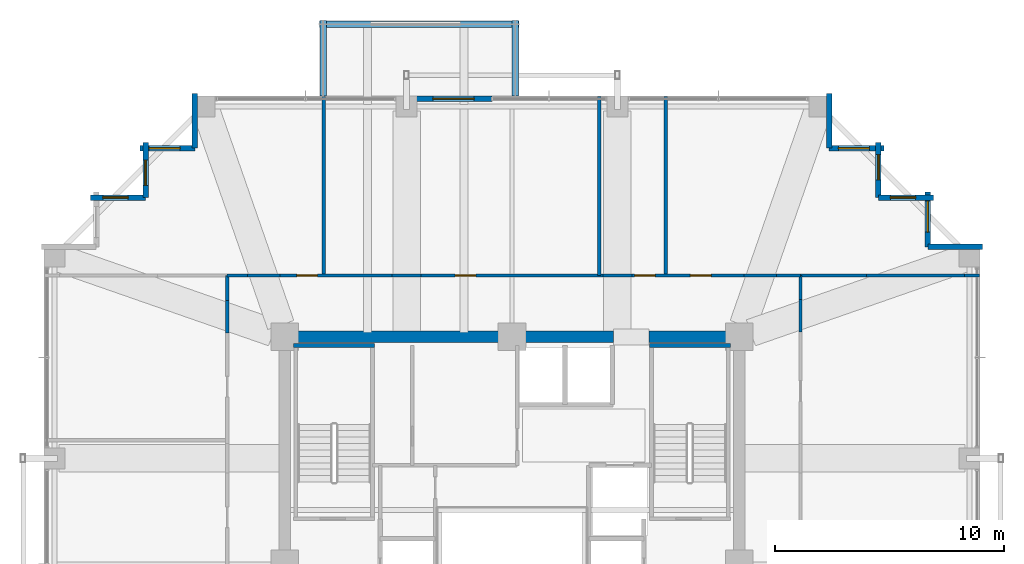
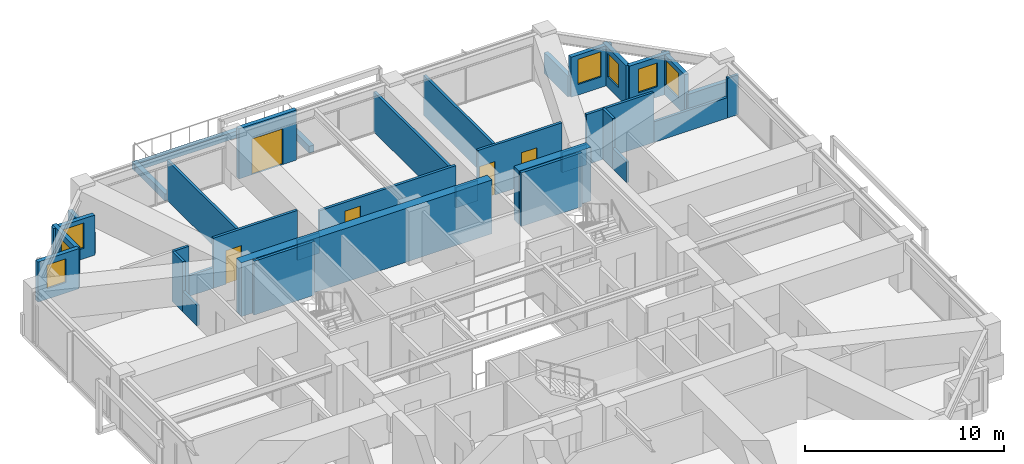
# One storey, part 34 of 37: 37 walls, 7 windows, 5 doors, 12 openings.
"""IFC4 building model written with IfcOpenShell, lengths in metres."""

from ifc_helpers import new_model, si_unit, direction, frame, frame_2d, origin, place, context, subcontext, project, spatial, rectangle, extrude, material, layer, layer_set, type_object, element, fill, save


model = new_model("IFC4")

# Units and contexts
model_context = context("Model", 3, precision=1e-05, world=origin(), true_north=direction((0.0, 1.0)))
body_context = subcontext(model_context, "Body", "Model", "MODEL_VIEW")
ifc_project = project(units=[si_unit("LENGTHUNIT", "METRE"), si_unit("AREAUNIT", "SQUARE_METRE"), si_unit("VOLUMEUNIT", "CUBIC_METRE"), si_unit("PLANEANGLEUNIT", "RADIAN"), si_unit("MASSUNIT", "GRAM", prefix="KILO")], contexts=[model_context])

# Site, building, storey
site_placement = place(None, origin())
site = spatial("IfcSite", under=ifc_project, at=site_placement, CompositionType="ELEMENT")
building_placement = place(site_placement, origin())
building = spatial("IfcBuilding", under=site, at=building_placement, Name="Kolvaren Belvedere", CompositionType="ELEMENT")
storey_placement = place(building_placement, frame((0.0, 0.0, 186.60009765625)))
storey = spatial("IfcBuildingStorey", under=building, at=storey_placement, Name="L54", CompositionType="ELEMENT", Elevation=186.60009765625)

# Walls
ifc_material_1 = material(Name="Concrete C50/60", Category="concrete")
ifc_layer_1 = layer(ifc_material_1, 0.5)
ifc_layer_set_1 = layer_set([ifc_layer_1], Name="Concrete C50/60")
wall_type_1 = type_object("IfcWallType", Name="CW-CORE-500", PredefinedType="SHEAR", material=ifc_layer_set_1)
wall_1_placement = place(storey_placement, frame((-10.14990234375, 9.89990234375, 0.0), z_axis=(0.0, 0.0, 1.0), x_axis=(1.0, 0.0, 0.0)))
element("IfcWall", 1, at=wall_1_placement, inside=storey, type_object=wall_type_1, Name="L54 North Core Shear Wall 1", PredefinedType="SHEAR", context=body_context, shape_type="SweptSolid", body=[
    extrude(rectangle(XDim=14.56982421875, YDim=0.5, at=frame_2d((7.284912109375, 0.0))), origin(), (0.0, 0.0, 1.0), 3.2998046875),
])
wall_2_placement = place(storey_placement, frame((5.97998046875, 9.89990234375, 0.0), z_axis=(0.0, 0.0, 1.0), x_axis=(1.0, 0.0, 0.0)))
element("IfcWall", 2, at=wall_2_placement, inside=storey, type_object=wall_type_1, Name="L54 North Core Shear Wall 2", PredefinedType="SHEAR", context=body_context, shape_type="SweptSolid", body=[
    extrude(rectangle(XDim=4.169921875, YDim=0.5, at=frame_2d((2.0849609375, 0.0))), origin(), (0.0, 0.0, 1.0), 3.2998046875),
])
ifc_material_2 = material(Name="Concrete C50/60", Category="concrete")
ifc_layer_2 = layer(ifc_material_2, 0.159912109375)
ifc_layer_set_2 = layer_set([ifc_layer_2], Name="Concrete C50/60")
wall_type_2 = type_object("IfcWallType", Name="CW-STAIR-160", PredefinedType="SHEAR", material=ifc_layer_set_2)
for number, where, z_axis, x_axis, name in (
    (3, (-9.52001953125, 9.530029296875, 0.0), (0.0, 0.0, 1.0), (1.0, 0.0, 0.0), "L54 Stair ST-1 North Shear Wall"),
    (4, (6.0, 9.530029296875, 0.0), (0.0, 0.0, 1.0), (1.0, 0.0, 0.0), "L54 Stair ST-2 North Shear Wall"),
):
    element("IfcWall", number, at=place(storey_placement, frame(where, z_axis=z_axis, x_axis=x_axis)), inside=storey, type_object=wall_type_2, Name=name, PredefinedType="SHEAR", context=body_context, shape_type="SweptSolid", body=[
        extrude(rectangle(XDim=3.52001953125, YDim=0.159912109375, at=frame_2d((1.760009765625, 0.0))), origin(), (0.0, 0.0, 1.0), 3.2998046875),
    ])
ifc_material_3 = material(Name="Gypsum fire-rated partition assembly", Category="gypsum")
ifc_layer_3 = layer(ifc_material_3, 0.14990234375)
ifc_layer_set_3 = layer_set([ifc_layer_3], Name="Gypsum fire-rated partition assembly")
wall_type_3 = type_object("IfcWallType", Name="WL-CORR-150", PredefinedType="PARTITIONING", material=ifc_layer_set_3)
wall_3_placement = place(storey_placement, frame((-12.419921875, 12.580078125, 0.0), z_axis=(0.0, 0.0, 1.0), x_axis=(1.0, 0.0, 0.0)))
element("IfcWall", 5, at=wall_3_placement, inside=storey, type_object=wall_type_3, Name="L54 North Corridor Wall", PredefinedType="PARTITIONING", context=body_context, shape_type="SweptSolid", body=[
    extrude(rectangle(XDim=0.878173828125, YDim=0.14990234375, at=frame_2d((0.43896484375, 0.0))), origin(), (0.0, 0.0, 1.0), 3.079833984375),
])
wall_4_placement = place(storey_placement, frame((-11.541748046875, 12.580078125, 0.0), z_axis=(0.0, 0.0, 1.0), x_axis=(1.0, 0.0, 0.0)))
element("IfcWall", 6, at=wall_4_placement, inside=storey, type_object=wall_type_3, Name="L54 North Corridor Wall", PredefinedType="PARTITIONING", context=body_context, shape_type="SweptSolid", body=[
    extrude(rectangle(XDim=1.416748046875, YDim=0.14990234375, at=frame_2d((0.70849609375, 0.0))), origin(), (0.0, 0.0, 1.0), 1.264892578125),
])

# Wall, opening, door
wall_5_placement = place(storey_placement, frame((-10.125, 12.580078125, 0.0), z_axis=(0.0, 0.0, 1.0), x_axis=(1.0, 0.0, 0.0)))
wall_5 = element("IfcWall", 7, at=wall_5_placement, inside=storey, type_object=wall_type_3, Name="L54 North Corridor Wall", PredefinedType="PARTITIONING", context=body_context, shape_type="SweptSolid", body=[
    extrude(rectangle(XDim=4.883056640625, YDim=0.14990234375, at=frame_2d((2.44140625, 0.0))), origin(), (0.0, 0.0, 1.0), 3.079833984375),
])
opening_1_placement = place(wall_5_placement, frame((0.743408203125, 0.0, 0.0)))
opening_1 = element("IfcOpeningElement", 8, at=opening_1_placement, cuts=wall_5, Name="Opening D-INT90", PredefinedType="OPENING", context=body_context, shape_type="SweptSolid", body=[
    extrude(rectangle(XDim=0.89990234375, YDim=2.06005859375, at=frame_2d((0.449951171875, 1.030029296875))), frame((0.0, 0.0849609375, 0.0), z_axis=(0.0, -1.0, 0.0), x_axis=(1.0, 0.0, 0.0)), (0.0, 0.0, 1.0), 0.169921875),
])
ifc_material_4 = material(Name="Stained Pacific white oak", Category="timber")
door_type_1 = type_object("IfcDoorType", Name="DR-INT-900", OperationType="NOTDEFINED", PredefinedType="DOOR", material=ifc_material_4)
door_1_placement = place(opening_1_placement, origin())
door_1 = element("IfcDoor", 9, at=door_1_placement, inside=storey, type_object=door_type_1, Name="L54 Lounge 5408 Door", OperationType="SINGLE_SWING_LEFT", OverallHeight=2.06005859375, OverallWidth=0.89990234375, PredefinedType="DOOR", context=body_context, shape_type="SweptSolid", body=[
    extrude(rectangle(XDim=0.89990234375, YDim=2.06005859375, at=frame_2d((0.449951171875, 1.030029296875))), frame((0.0, 0.02490234375, 0.0), z_axis=(0.0, -1.0, 0.0), x_axis=(1.0, 0.0, 0.0)), (0.0, 0.0, 1.0), 0.050048828125),
])
fill(opening_1, door_1)

# Wall
wall_6_placement = place(storey_placement, frame((-5.241943359375, 12.580078125, 0.0), z_axis=(0.0, 0.0, 1.0), x_axis=(1.0, 0.0, 0.0)))
element("IfcWall", 10, at=wall_6_placement, inside=storey, type_object=wall_type_3, Name="L54 North Corridor Wall", PredefinedType="PARTITIONING", context=body_context, shape_type="SweptSolid", body=[
    extrude(rectangle(XDim=1.283935546875, YDim=0.14990234375, at=frame_2d((0.64208984375, 0.0))), origin(), (0.0, 0.0, 1.0), 1.264892578125),
])

# Wall, opening, door
wall_7_placement = place(storey_placement, frame((-3.9580078125, 12.580078125, 0.0), z_axis=(0.0, 0.0, 1.0), x_axis=(1.0, 0.0, 0.0)))
wall_7 = element("IfcWall", 11, at=wall_7_placement, inside=storey, type_object=wall_type_3, Name="L54 North Corridor Wall", PredefinedType="PARTITIONING", context=body_context, shape_type="SweptSolid", body=[
    extrude(rectangle(XDim=7.916015625, YDim=0.14990234375, at=frame_2d((3.9580078125, 0.0))), origin(), (0.0, 0.0, 1.0), 2.60498046875),
])
opening_2_placement = place(wall_7_placement, frame((1.47802734375, 0.0, 0.0)))
opening_2 = element("IfcOpeningElement", 12, at=opening_2_placement, cuts=wall_7, Name="Opening D-INT90", PredefinedType="OPENING", context=body_context, shape_type="SweptSolid", body=[
    extrude(rectangle(XDim=0.89990234375, YDim=2.06005859375, at=frame_2d((0.449951171875, 1.030029296875))), frame((0.0, 0.0849609375, 0.0), z_axis=(0.0, -1.0, 0.0), x_axis=(1.0, 0.0, 0.0)), (0.0, 0.0, 1.0), 0.169921875),
])
door_2_placement = place(opening_2_placement, origin())
door_2 = element("IfcDoor", 13, at=door_2_placement, inside=storey, type_object=door_type_1, Name="L54 Lounge 5409 Door", OperationType="SINGLE_SWING_RIGHT", OverallHeight=2.06005859375, OverallWidth=0.89990234375, PredefinedType="DOOR", context=body_context, shape_type="SweptSolid", body=[
    extrude(rectangle(XDim=0.89990234375, YDim=2.06005859375, at=frame_2d((0.449951171875, 1.030029296875))), frame((0.0, 0.02490234375, 0.0), z_axis=(0.0, -1.0, 0.0), x_axis=(1.0, 0.0, 0.0)), (0.0, 0.0, 1.0), 0.050048828125),
])
fill(opening_2, door_2)

# Wall
wall_8_placement = place(storey_placement, frame((3.9580078125, 12.580078125, 0.0), z_axis=(0.0, 0.0, 1.0), x_axis=(1.0, 0.0, 0.0)))
element("IfcWall", 14, at=wall_8_placement, inside=storey, type_object=wall_type_3, Name="L54 North Corridor Wall", PredefinedType="PARTITIONING", context=body_context, shape_type="SweptSolid", body=[
    extrude(rectangle(XDim=1.283935546875, YDim=0.14990234375, at=frame_2d((0.64208984375, 0.0))), origin(), (0.0, 0.0, 1.0), 1.264892578125),
])

# Wall, openings, doors
wall_9_placement = place(storey_placement, frame((5.241943359375, 12.580078125, 0.0), z_axis=(0.0, 0.0, 1.0), x_axis=(1.0, 0.0, 0.0)))
wall_9 = element("IfcWall", 15, at=wall_9_placement, inside=storey, type_object=wall_type_3, Name="L54 North Corridor Wall", PredefinedType="PARTITIONING", context=body_context, shape_type="SweptSolid", body=[
    extrude(rectangle(XDim=4.883056640625, YDim=0.14990234375, at=frame_2d((2.44140625, 0.0))), origin(), (0.0, 0.0, 1.0), 3.079833984375),
])
opening_3_placement = place(wall_9_placement, frame((0.10009765625, 0.0, 0.0)))
opening_3 = element("IfcOpeningElement", 16, at=opening_3_placement, cuts=wall_9, Name="Opening D-INT90", PredefinedType="OPENING", context=body_context, shape_type="SweptSolid", body=[
    extrude(rectangle(XDim=0.89990234375, YDim=2.06005859375, at=frame_2d((0.449951171875, 1.030029296875))), frame((0.0, 0.0849609375, 0.0), z_axis=(0.0, -1.0, 0.0), x_axis=(1.0, 0.0, 0.0)), (0.0, 0.0, 1.0), 0.169921875),
])
opening_4_placement = place(wall_9_placement, frame((2.5380859375, 0.0, 0.0)))
opening_4 = element("IfcOpeningElement", 17, at=opening_4_placement, cuts=wall_9, Name="Opening D-INT90", PredefinedType="OPENING", context=body_context, shape_type="SweptSolid", body=[
    extrude(rectangle(XDim=0.89990234375, YDim=2.06005859375, at=frame_2d((0.449951171875, 1.030029296875))), frame((0.0, 0.0849609375, 0.0), z_axis=(0.0, -1.0, 0.0), x_axis=(1.0, 0.0, 0.0)), (0.0, 0.0, 1.0), 0.169921875),
])
door_3_placement = place(opening_3_placement, origin())
door_3 = element("IfcDoor", 18, at=door_3_placement, inside=storey, type_object=door_type_1, Name="L54 Lounge 5410 Door", OperationType="SINGLE_SWING_LEFT", OverallHeight=2.06005859375, OverallWidth=0.89990234375, PredefinedType="DOOR", context=body_context, shape_type="SweptSolid", body=[
    extrude(rectangle(XDim=0.89990234375, YDim=2.06005859375, at=frame_2d((0.449951171875, 1.030029296875))), frame((0.0, 0.02490234375, 0.0), z_axis=(0.0, -1.0, 0.0), x_axis=(1.0, 0.0, 0.0)), (0.0, 0.0, 1.0), 0.050048828125),
])
fill(opening_3, door_3)
door_4_placement = place(opening_4_placement, origin())
door_4 = element("IfcDoor", 19, at=door_4_placement, inside=storey, type_object=door_type_1, Name="L54 Lounge 5411 Door", OperationType="SINGLE_SWING_RIGHT", OverallHeight=2.06005859375, OverallWidth=0.89990234375, PredefinedType="DOOR", context=body_context, shape_type="SweptSolid", body=[
    extrude(rectangle(XDim=0.89990234375, YDim=2.06005859375, at=frame_2d((0.449951171875, 1.030029296875))), frame((0.0, 0.02490234375, 0.0), z_axis=(0.0, -1.0, 0.0), x_axis=(1.0, 0.0, 0.0)), (0.0, 0.0, 1.0), 0.050048828125),
])
fill(opening_4, door_4)

# Walls
wall_10_placement = place(storey_placement, frame((10.125, 12.580078125, 0.0), z_axis=(0.0, 0.0, 1.0), x_axis=(1.0, 0.0, 0.0)))
element("IfcWall", 20, at=wall_10_placement, inside=storey, type_object=wall_type_3, Name="L54 North Corridor Wall", PredefinedType="PARTITIONING", context=body_context, shape_type="SweptSolid", body=[
    extrude(rectangle(XDim=1.416748046875, YDim=0.14990234375, at=frame_2d((0.70849609375, 0.0))), origin(), (0.0, 0.0, 1.0), 1.264892578125),
])
wall_11_placement = place(storey_placement, frame((11.541748046875, 12.580078125, 0.0), z_axis=(0.0, 0.0, 1.0), x_axis=(1.0, 0.0, 0.0)))
element("IfcWall", 21, at=wall_11_placement, inside=storey, type_object=wall_type_3, Name="L54 North Corridor Wall", PredefinedType="PARTITIONING", context=body_context, shape_type="SweptSolid", body=[
    extrude(rectangle(XDim=1.038330078125, YDim=0.14990234375, at=frame_2d((0.51904296875, 0.0))), origin(), (0.0, 0.0, 1.0), 3.079833984375),
])
wall_12_placement = place(storey_placement, frame((-12.419921875, 10.0693359375, 0.0), z_axis=(0.0, 0.0, 1.0), x_axis=(0.0, 1.0, 0.0)))
element("IfcWall", 22, at=wall_12_placement, inside=storey, type_object=wall_type_3, Name="L54 West Corridor Wall", PredefinedType="PARTITIONING", context=body_context, shape_type="SweptSolid", body=[
    extrude(rectangle(XDim=1.416748046875, YDim=0.14990234375, at=frame_2d((0.70849609375, 0.0))), origin(), (0.0, 0.0, 1.0), 1.264892578125),
])
wall_13_placement = place(storey_placement, frame((-12.419921875, 11.486083984375, 0.0), z_axis=(0.0, 0.0, 1.0), x_axis=(0.0, 1.0, 0.0)))
element("IfcWall", 23, at=wall_13_placement, inside=storey, type_object=wall_type_3, Name="L54 West Corridor Wall", PredefinedType="PARTITIONING", context=body_context, shape_type="SweptSolid", body=[
    extrude(rectangle(XDim=1.093994140625, YDim=0.14990234375, at=frame_2d((0.546875, 0.0))), origin(), (0.0, 0.0, 1.0), 3.079833984375),
])
wall_14_placement = place(storey_placement, frame((12.580078125, 10.125, 0.0), z_axis=(0.0, 0.0, 1.0), x_axis=(0.0, 1.0, 0.0)))
element("IfcWall", 24, at=wall_14_placement, inside=storey, type_object=wall_type_3, Name="L54 East Corridor Wall", PredefinedType="PARTITIONING", context=body_context, shape_type="SweptSolid", body=[
    extrude(rectangle(XDim=1.416748046875, YDim=0.14990234375, at=frame_2d((0.70849609375, 0.0))), origin(), (0.0, 0.0, 1.0), 1.264892578125),
])
wall_15_placement = place(storey_placement, frame((12.580078125, 11.541748046875, 0.0), z_axis=(0.0, 0.0, 1.0), x_axis=(0.0, 1.0, 0.0)))
element("IfcWall", 25, at=wall_15_placement, inside=storey, type_object=wall_type_3, Name="L54 East Corridor Wall", PredefinedType="PARTITIONING", context=body_context, shape_type="SweptSolid", body=[
    extrude(rectangle(XDim=1.038330078125, YDim=0.14990234375, at=frame_2d((0.51904296875, 0.0))), origin(), (0.0, 0.0, 1.0), 3.079833984375),
])
ifc_material_5 = material(Name="Insulated pale-metal facade wall assembly", Category="aluminium")
ifc_layer_4 = layer(ifc_material_5, 0.239990234375)
ifc_layer_set_4 = layer_set([ifc_layer_4], Name="Insulated pale-metal facade wall assembly")
wall_type_4 = type_object("IfcWallType", Name="WL-EXT-240", PredefinedType="STANDARD", material=ifc_layer_set_4)
wall_16_placement = place(storey_placement, frame((18.1298828125, 13.830078125, 0.0), z_axis=(0.0, 0.0, 1.0), x_axis=(1.0, 0.0, 0.0)))
element("IfcWall", 26, at=wall_16_placement, inside=storey, type_object=wall_type_4, Name="L54 Serrated Corner Facade Wall 9", PredefinedType="STANDARD", context=body_context, shape_type="SweptSolid", body=[
    extrude(rectangle(XDim=2.39013671875, YDim=0.239990234375, at=frame_2d((1.195068359375, 0.0))), origin(), (0.0, 0.0, 1.0), 1.27490234375),
])

# Wall, opening, window
wall_17_placement = place(storey_placement, frame((18.1298828125, 16.219970703125, 0.0), z_axis=(0.0, 0.0, 1.0), x_axis=(0.0, -1.0, 0.0)))
wall_17 = element("IfcWall", 27, at=wall_17_placement, inside=storey, type_object=wall_type_4, Name="L54 Serrated Corner Facade Wall 10", PredefinedType="STANDARD", context=body_context, shape_type="SweptSolid", body=[
    extrude(rectangle(XDim=2.389892578125, YDim=0.239990234375, at=frame_2d((1.19482421875, 0.0))), origin(), (0.0, 0.0, 1.0), 2.462890625),
])
opening_5_placement = place(wall_17_placement, frame((0.39990234375, 0.0, 0.64990234375)))
opening_5 = element("IfcOpeningElement", 28, at=opening_5_placement, cuts=wall_17, Name="Opening W-1350", PredefinedType="OPENING", context=body_context, shape_type="SweptSolid", body=[
    extrude(rectangle(XDim=1.35009765625, YDim=1.550048828125, at=frame_2d((0.675048828125, 0.77490234375))), frame((0.0, 0.1298828125, 0.0), z_axis=(0.0, -1.0, 0.0), x_axis=(1.0, 0.0, 0.0)), (0.0, 0.0, 1.0), 0.260009765625),
])
ifc_material_6 = material(Name="Low-iron triple insulated glass", Category="glass")
window_type_1 = type_object("IfcWindowType", Name="WN-CORN-1350", PartitioningType="SINGLE_PANEL", PredefinedType="WINDOW", material=ifc_material_6)
window_1_placement = place(opening_5_placement, origin())
window_1 = element("IfcWindow", 29, at=window_1_placement, inside=storey, type_object=window_type_1, Name="L54 Serrated Corner Vision Window 10", OverallHeight=1.550048828125, OverallWidth=1.35009765625, PartitioningType="SINGLE_PANEL", PredefinedType="WINDOW", context=body_context, shape_type="SweptSolid", body=[
    extrude(rectangle(XDim=1.35009765625, YDim=1.550048828125, at=frame_2d((0.675048828125, 0.77490234375))), frame((0.0, 0.030029296875, 0.0), z_axis=(0.0, -1.0, 0.0), x_axis=(1.0, 0.0, 0.0)), (0.0, 0.0, 1.0), 0.06005859375),
])
fill(opening_5, window_1)

wall_18_placement = place(storey_placement, frame((15.97998046875, 15.97998046875, 0.0), z_axis=(0.0, 0.0, 1.0), x_axis=(1.0, 0.0, 0.0)))
wall_18 = element("IfcWall", 30, at=wall_18_placement, inside=storey, type_object=wall_type_4, Name="L54 Serrated Corner Facade Wall 11", PredefinedType="STANDARD", context=body_context, shape_type="SweptSolid", body=[
    extrude(rectangle(XDim=2.39013671875, YDim=0.239990234375, at=frame_2d((1.195068359375, 0.0))), origin(), (0.0, 0.0, 1.0), 2.462890625),
])
opening_6_placement = place(wall_18_placement, frame((0.52490234375, 0.0, 0.64990234375)))
opening_6 = element("IfcOpeningElement", 31, at=opening_6_placement, cuts=wall_18, Name="Opening W-1100", PredefinedType="OPENING", context=body_context, shape_type="SweptSolid", body=[
    extrude(rectangle(XDim=1.10009765625, YDim=1.449951171875, at=frame_2d((0.550048828125, 0.72509765625))), frame((0.0, 0.1298828125, 0.0), z_axis=(0.0, -1.0, 0.0), x_axis=(1.0, 0.0, 0.0)), (0.0, 0.0, 1.0), 0.260009765625),
])
ifc_material_7 = material(Name="Low-iron triple insulated glass", Category="glass")
window_type_2 = type_object("IfcWindowType", Name="WN-CORN-1100", PartitioningType="SINGLE_PANEL", PredefinedType="WINDOW", material=ifc_material_7)
window_2_placement = place(opening_6_placement, origin())
window_2 = element("IfcWindow", 32, at=window_2_placement, inside=storey, type_object=window_type_2, Name="L54 Serrated Corner Vision Window 11", OverallHeight=1.449951171875, OverallWidth=1.10009765625, PartitioningType="SINGLE_PANEL", PredefinedType="WINDOW", context=body_context, shape_type="SweptSolid", body=[
    extrude(rectangle(XDim=1.10009765625, YDim=1.449951171875, at=frame_2d((0.550048828125, 0.72509765625))), frame((0.0, 0.030029296875, 0.0), z_axis=(0.0, -1.0, 0.0), x_axis=(1.0, 0.0, 0.0)), (0.0, 0.0, 1.0), 0.06005859375),
])
fill(opening_6, window_2)

wall_19_placement = place(storey_placement, frame((15.97998046875, 18.3701171875, 0.0), z_axis=(0.0, 0.0, 1.0), x_axis=(0.0, -1.0, 0.0)))
wall_19 = element("IfcWall", 33, at=wall_19_placement, inside=storey, type_object=wall_type_4, Name="L54 Serrated Corner Facade Wall 12", PredefinedType="STANDARD", context=body_context, shape_type="SweptSolid", body=[
    extrude(rectangle(XDim=2.39013671875, YDim=0.239990234375, at=frame_2d((1.195068359375, 0.0))), origin(), (0.0, 0.0, 1.0), 2.462890625),
])
opening_7_placement = place(wall_19_placement, frame((0.52490234375, 0.0, 0.64990234375)))
opening_7 = element("IfcOpeningElement", 34, at=opening_7_placement, cuts=wall_19, Name="Opening W-1100", PredefinedType="OPENING", context=body_context, shape_type="SweptSolid", body=[
    extrude(rectangle(XDim=1.10009765625, YDim=1.449951171875, at=frame_2d((0.550048828125, 0.72509765625))), frame((0.0, 0.1298828125, 0.0), z_axis=(0.0, -1.0, 0.0), x_axis=(1.0, 0.0, 0.0)), (0.0, 0.0, 1.0), 0.260009765625),
])
window_3_placement = place(opening_7_placement, origin())
window_3 = element("IfcWindow", 35, at=window_3_placement, inside=storey, type_object=window_type_2, Name="L54 Serrated Corner Vision Window 12", OverallHeight=1.449951171875, OverallWidth=1.10009765625, PartitioningType="SINGLE_PANEL", PredefinedType="WINDOW", context=body_context, shape_type="SweptSolid", body=[
    extrude(rectangle(XDim=1.10009765625, YDim=1.449951171875, at=frame_2d((0.550048828125, 0.72509765625))), frame((0.0, 0.030029296875, 0.0), z_axis=(0.0, -1.0, 0.0), x_axis=(1.0, 0.0, 0.0)), (0.0, 0.0, 1.0), 0.06005859375),
])
fill(opening_7, window_3)

wall_20_placement = place(storey_placement, frame((13.830078125, 18.1298828125, 0.0), z_axis=(0.0, 0.0, 1.0), x_axis=(1.0, 0.0, 0.0)))
wall_20 = element("IfcWall", 36, at=wall_20_placement, inside=storey, type_object=wall_type_4, Name="L54 Serrated Corner Facade Wall 13", PredefinedType="STANDARD", context=body_context, shape_type="SweptSolid", body=[
    extrude(rectangle(XDim=2.389892578125, YDim=0.239990234375, at=frame_2d((1.19482421875, 0.0))), origin(), (0.0, 0.0, 1.0), 2.462890625),
])
opening_8_placement = place(wall_20_placement, frame((0.39990234375, 0.0, 0.64990234375)))
opening_8 = element("IfcOpeningElement", 37, at=opening_8_placement, cuts=wall_20, Name="Opening W-1350", PredefinedType="OPENING", context=body_context, shape_type="SweptSolid", body=[
    extrude(rectangle(XDim=1.35009765625, YDim=1.550048828125, at=frame_2d((0.675048828125, 0.77490234375))), frame((0.0, 0.1298828125, 0.0), z_axis=(0.0, -1.0, 0.0), x_axis=(1.0, 0.0, 0.0)), (0.0, 0.0, 1.0), 0.260009765625),
])
window_4_placement = place(opening_8_placement, origin())
window_4 = element("IfcWindow", 38, at=window_4_placement, inside=storey, type_object=window_type_1, Name="L54 Serrated Corner Vision Window 13", OverallHeight=1.550048828125, OverallWidth=1.35009765625, PartitioningType="SINGLE_PANEL", PredefinedType="WINDOW", context=body_context, shape_type="SweptSolid", body=[
    extrude(rectangle(XDim=1.35009765625, YDim=1.550048828125, at=frame_2d((0.675048828125, 0.77490234375))), frame((0.0, 0.030029296875, 0.0), z_axis=(0.0, -1.0, 0.0), x_axis=(1.0, 0.0, 0.0)), (0.0, 0.0, 1.0), 0.06005859375),
])
fill(opening_8, window_4)

# Wall
wall_21_placement = place(storey_placement, frame((13.830078125, 20.52001953125, 0.0), z_axis=(0.0, 0.0, 1.0), x_axis=(0.0, -1.0, 0.0)))
element("IfcWall", 39, at=wall_21_placement, inside=storey, type_object=wall_type_4, Name="L54 Serrated Corner Facade Wall 14", PredefinedType="STANDARD", context=body_context, shape_type="SweptSolid", body=[
    extrude(rectangle(XDim=2.39013671875, YDim=0.239990234375, at=frame_2d((1.195068359375, 0.0))), origin(), (0.0, 0.0, 1.0), 1.27490234375),
])

# Wall, opening, door
wall_22_placement = place(storey_placement, frame((-4.22998046875, 20.280029296875, 0.0), z_axis=(0.0, 0.0, 1.0), x_axis=(1.0, 0.0, 0.0)))
wall_22 = element("IfcWall", 40, at=wall_22_placement, inside=storey, type_object=wall_type_4, Name="L54 North Terrace Portal Wall", PredefinedType="STANDARD", context=body_context, shape_type="SweptSolid", body=[
    extrude(rectangle(XDim=3.35986328125, YDim=0.239990234375, at=frame_2d((1.679931640625, 0.0))), origin(), (0.0, 0.0, 1.0), 3.079833984375),
])
opening_9_placement = place(wall_22_placement, frame((0.780029296875, 0.0, 0.0)))
opening_9 = element("IfcOpeningElement", 41, at=opening_9_placement, cuts=wall_22, Name="Opening DB-1800", PredefinedType="OPENING", context=body_context, shape_type="SweptSolid", body=[
    extrude(rectangle(XDim=1.800048828125, YDim=2.199951171875, at=frame_2d((0.89990234375, 1.10009765625))), frame((0.0, 0.1298828125, 0.0), z_axis=(0.0, -1.0, 0.0), x_axis=(1.0, 0.0, 0.0)), (0.0, 0.0, 1.0), 0.260009765625),
])
ifc_material_8 = material(Name="Thermally broken pale-metal aluminium & low-iron glass", Category="aluminium")
door_type_2 = type_object("IfcDoorType", Name="DR-BAL-1800", OperationType="DOUBLE_DOOR_SLIDING", PredefinedType="DOOR", material=ifc_material_8)
door_5_placement = place(opening_9_placement, origin())
door_5 = element("IfcDoor", 42, at=door_5_placement, inside=storey, type_object=door_type_2, Name="L54 North Planted Terrace Sliding Door", OperationType="DOUBLE_DOOR_SLIDING", OverallHeight=2.199951171875, OverallWidth=1.800048828125, PredefinedType="DOOR", context=body_context, shape_type="SweptSolid", body=[
    extrude(rectangle(XDim=1.800048828125, YDim=2.199951171875, at=frame_2d((0.89990234375, 1.10009765625))), frame((0.0, 0.02490234375, 0.0), z_axis=(0.0, -1.0, 0.0), x_axis=(1.0, 0.0, 0.0)), (0.0, 0.0, 1.0), 0.050048828125),
])
fill(opening_9, door_5)

# Wall
wall_23_placement = place(storey_placement, frame((-13.830078125, 18.1298828125, 0.0), z_axis=(0.0, 0.0, 1.0), x_axis=(0.0, 1.0, 0.0)))
element("IfcWall", 43, at=wall_23_placement, inside=storey, type_object=wall_type_4, Name="L54 Serrated Corner Facade Wall 16", PredefinedType="STANDARD", context=body_context, shape_type="SweptSolid", body=[
    extrude(rectangle(XDim=2.39013671875, YDim=0.239990234375, at=frame_2d((1.195068359375, 0.0))), origin(), (0.0, 0.0, 1.0), 1.27490234375),
])

# Wall, opening, window
wall_24_placement = place(storey_placement, frame((-16.219970703125, 18.1298828125, 0.0), z_axis=(0.0, 0.0, 1.0), x_axis=(1.0, 0.0, 0.0)))
wall_24 = element("IfcWall", 44, at=wall_24_placement, inside=storey, type_object=wall_type_4, Name="L54 Serrated Corner Facade Wall 17", PredefinedType="STANDARD", context=body_context, shape_type="SweptSolid", body=[
    extrude(rectangle(XDim=2.389892578125, YDim=0.239990234375, at=frame_2d((1.19482421875, 0.0))), origin(), (0.0, 0.0, 1.0), 2.462890625),
])
opening_10_placement = place(wall_24_placement, frame((0.39990234375, 0.0, 0.64990234375)))
opening_10 = element("IfcOpeningElement", 45, at=opening_10_placement, cuts=wall_24, Name="Opening W-1350", PredefinedType="OPENING", context=body_context, shape_type="SweptSolid", body=[
    extrude(rectangle(XDim=1.35009765625, YDim=1.550048828125, at=frame_2d((0.675048828125, 0.77490234375))), frame((0.0, 0.1298828125, 0.0), z_axis=(0.0, -1.0, 0.0), x_axis=(1.0, 0.0, 0.0)), (0.0, 0.0, 1.0), 0.260009765625),
])
window_5_placement = place(opening_10_placement, origin())
window_5 = element("IfcWindow", 46, at=window_5_placement, inside=storey, type_object=window_type_1, Name="L54 Serrated Corner Vision Window 17", OverallHeight=1.550048828125, OverallWidth=1.35009765625, PartitioningType="SINGLE_PANEL", PredefinedType="WINDOW", context=body_context, shape_type="SweptSolid", body=[
    extrude(rectangle(XDim=1.35009765625, YDim=1.550048828125, at=frame_2d((0.675048828125, 0.77490234375))), frame((0.0, 0.030029296875, 0.0), z_axis=(0.0, -1.0, 0.0), x_axis=(1.0, 0.0, 0.0)), (0.0, 0.0, 1.0), 0.06005859375),
])
fill(opening_10, window_5)

wall_25_placement = place(storey_placement, frame((-15.97998046875, 15.97998046875, 0.0), z_axis=(0.0, 0.0, 1.0), x_axis=(0.0, 1.0, 0.0)))
wall_25 = element("IfcWall", 47, at=wall_25_placement, inside=storey, type_object=wall_type_4, Name="L54 Serrated Corner Facade Wall 18", PredefinedType="STANDARD", context=body_context, shape_type="SweptSolid", body=[
    extrude(rectangle(XDim=2.39013671875, YDim=0.239990234375, at=frame_2d((1.195068359375, 0.0))), origin(), (0.0, 0.0, 1.0), 2.462890625),
])
opening_11_placement = place(wall_25_placement, frame((0.52490234375, 0.0, 0.64990234375)))
opening_11 = element("IfcOpeningElement", 48, at=opening_11_placement, cuts=wall_25, Name="Opening W-1100", PredefinedType="OPENING", context=body_context, shape_type="SweptSolid", body=[
    extrude(rectangle(XDim=1.10009765625, YDim=1.449951171875, at=frame_2d((0.550048828125, 0.72509765625))), frame((0.0, 0.1298828125, 0.0), z_axis=(0.0, -1.0, 0.0), x_axis=(1.0, 0.0, 0.0)), (0.0, 0.0, 1.0), 0.260009765625),
])
window_6_placement = place(opening_11_placement, origin())
window_6 = element("IfcWindow", 49, at=window_6_placement, inside=storey, type_object=window_type_2, Name="L54 Serrated Corner Vision Window 18", OverallHeight=1.449951171875, OverallWidth=1.10009765625, PartitioningType="SINGLE_PANEL", PredefinedType="WINDOW", context=body_context, shape_type="SweptSolid", body=[
    extrude(rectangle(XDim=1.10009765625, YDim=1.449951171875, at=frame_2d((0.550048828125, 0.72509765625))), frame((0.0, 0.030029296875, 0.0), z_axis=(0.0, -1.0, 0.0), x_axis=(1.0, 0.0, 0.0)), (0.0, 0.0, 1.0), 0.06005859375),
])
fill(opening_11, window_6)

wall_26_placement = place(storey_placement, frame((-18.3701171875, 15.97998046875, 0.0), z_axis=(0.0, 0.0, 1.0), x_axis=(1.0, 0.0, 0.0)))
wall_26 = element("IfcWall", 50, at=wall_26_placement, inside=storey, type_object=wall_type_4, Name="L54 Serrated Corner Facade Wall 19", PredefinedType="STANDARD", context=body_context, shape_type="SweptSolid", body=[
    extrude(rectangle(XDim=2.39013671875, YDim=0.239990234375, at=frame_2d((1.195068359375, 0.0))), origin(), (0.0, 0.0, 1.0), 2.462890625),
])
opening_12_placement = place(wall_26_placement, frame((0.52490234375, 0.0, 0.64990234375)))
opening_12 = element("IfcOpeningElement", 51, at=opening_12_placement, cuts=wall_26, Name="Opening W-1100", PredefinedType="OPENING", context=body_context, shape_type="SweptSolid", body=[
    extrude(rectangle(XDim=1.10009765625, YDim=1.449951171875, at=frame_2d((0.550048828125, 0.72509765625))), frame((0.0, 0.1298828125, 0.0), z_axis=(0.0, -1.0, 0.0), x_axis=(1.0, 0.0, 0.0)), (0.0, 0.0, 1.0), 0.260009765625),
])
window_7_placement = place(opening_12_placement, origin())
window_7 = element("IfcWindow", 52, at=window_7_placement, inside=storey, type_object=window_type_2, Name="L54 Serrated Corner Vision Window 19", OverallHeight=1.449951171875, OverallWidth=1.10009765625, PartitioningType="SINGLE_PANEL", PredefinedType="WINDOW", context=body_context, shape_type="SweptSolid", body=[
    extrude(rectangle(XDim=1.10009765625, YDim=1.449951171875, at=frame_2d((0.550048828125, 0.72509765625))), frame((0.0, 0.030029296875, 0.0), z_axis=(0.0, -1.0, 0.0), x_axis=(1.0, 0.0, 0.0)), (0.0, 0.0, 1.0), 0.06005859375),
])
fill(opening_12, window_7)

# Walls
ifc_material_9 = material(Name="Gypsum acoustic partition assembly", Category="gypsum")
ifc_layer_5 = layer(ifc_material_9, 0.14990234375)
ifc_layer_set_5 = layer_set([ifc_layer_5], Name="Gypsum acoustic partition assembly")
wall_type_5 = type_object("IfcWallType", Name="WL-PART-150", PredefinedType="PARTITIONING", material=ifc_layer_set_5)
wall_27_placement = place(storey_placement, frame((12.580078125, 12.580078125, 0.0), z_axis=(0.0, 0.0, 1.0), x_axis=(1.0, 0.0, 0.0)))
element("IfcWall", 53, at=wall_27_placement, inside=storey, type_object=wall_type_5, Name="L54 Wing Divider PW-L54-QNE", PredefinedType="PARTITIONING", context=body_context, shape_type="SweptSolid", body=[
    extrude(rectangle(XDim=2.874755859375, YDim=0.14990234375, at=frame_2d((1.4375, 0.0))), origin(), (0.0, 0.0, 1.0), 3.079833984375),
])
wall_28_placement = place(storey_placement, frame((15.454833984375, 12.580078125, 0.0), z_axis=(0.0, 0.0, 1.0), x_axis=(1.0, 0.0, 0.0)))
element("IfcWall", 54, at=wall_28_placement, inside=storey, type_object=wall_type_5, Name="L54 Wing Divider PW-L54-QNE", PredefinedType="PARTITIONING", context=body_context, shape_type="SweptSolid", body=[
    extrude(rectangle(XDim=4.28125, YDim=0.14990234375, at=frame_2d((2.140625, 0.0))), origin(), (0.0, 0.0, 1.0), 1.264892578125),
])
wall_29_placement = place(storey_placement, frame((19.736083984375, 12.580078125, 0.0), z_axis=(0.0, 0.0, 1.0), x_axis=(1.0, 0.0, 0.0)))
element("IfcWall", 55, at=wall_29_placement, inside=storey, type_object=wall_type_5, Name="L54 Wing Divider PW-L54-QNE", PredefinedType="PARTITIONING", context=body_context, shape_type="SweptSolid", body=[
    extrude(rectangle(XDim=0.643798828125, YDim=0.14990234375, at=frame_2d((0.32177734375, 0.0))), origin(), (0.0, 0.0, 1.0), 2.452880859375),
])
for number, where, z_axis, x_axis, name in (
    (56, (-8.199951171875, 12.580078125, 0.0), (0.0, 0.0, 1.0), (0.0, 1.0, 0.0), "L54 North Suite Demising Wall 1"),
    (57, (3.800048828125, 12.580078125, 0.0), (0.0, 0.0, 1.0), (0.0, 1.0, 0.0), "L54 North Suite Demising Wall 2"),
    (58, (6.699951171875, 12.580078125, 0.0), (0.0, 0.0, 1.0), (0.0, 1.0, 0.0), "L54 North Suite Demising Wall 3"),
):
    element("IfcWall", number, at=place(storey_placement, frame(where, z_axis=z_axis, x_axis=x_axis)), inside=storey, type_object=wall_type_5, Name=name, PredefinedType="PARTITIONING", context=body_context, shape_type="SweptSolid", body=[
        extrude(rectangle(XDim=7.7998046875, YDim=0.14990234375, at=frame_2d((3.89990234375, 0.0))), origin(), (0.0, 0.0, 1.0), 2.452880859375),
    ])
ifc_material_10 = material(Name="Precast concrete C40/50", Category="concrete")
ifc_layer_6 = layer(ifc_material_10, 0.300048828125)
ifc_layer_set_6 = layer_set([ifc_layer_6], Name="Precast concrete C40/50")
wall_type_6 = type_object("IfcWallType", Name="WL-PLANTER-300", PredefinedType="PARAPET", material=ifc_layer_set_6)
wall_30_placement = place(storey_placement, frame((0.139892578125, 20.39990234375, -0.0400390625), z_axis=(0.0, 0.0, 1.0), x_axis=(0.0, 1.0, 0.0)))
element("IfcWall", 59, at=wall_30_placement, inside=storey, type_object=wall_type_6, Name="L54 Precast Structural Planter Wall SPIRAL-08-N-2", PredefinedType="PARAPET", context=body_context, shape_type="SweptSolid", body=[
    extrude(rectangle(XDim=3.300048828125, YDim=0.280029296875, at=frame_2d((1.64990234375, 0.0))), origin(), (0.0, 0.0, 1.0), 0.419921875),
])
wall_31_placement = place(storey_placement, frame((0.300048828125, 23.5400390625, -0.0400390625), z_axis=(0.0, 0.0, 1.0), x_axis=(-1.0, 0.0, 0.0)))
element("IfcWall", 60, at=wall_31_placement, inside=storey, type_object=wall_type_6, Name="L54 Precast Structural Planter Wall SPIRAL-08-N-3", PredefinedType="PARAPET", context=body_context, shape_type="SweptSolid", body=[
    extrude(rectangle(XDim=8.699951171875, YDim=0.280029296875, at=frame_2d((4.35009765625, 0.0))), origin(), (0.0, 0.0, 1.0), 0.419921875),
])
wall_32_placement = place(storey_placement, frame((-8.239990234375, 23.699951171875, -0.0400390625), z_axis=(0.0, 0.0, 1.0), x_axis=(0.0, -1.0, 0.0)))
element("IfcWall", 61, at=wall_32_placement, inside=storey, type_object=wall_type_6, Name="L54 Precast Structural Planter Wall SPIRAL-08-N-4", PredefinedType="PARAPET", context=body_context, shape_type="SweptSolid", body=[
    extrude(rectangle(XDim=3.300048828125, YDim=0.280029296875, at=frame_2d((1.64990234375, 0.0))), origin(), (0.0, 0.0, 1.0), 0.419921875),
])

save(model, "model.ifc")
